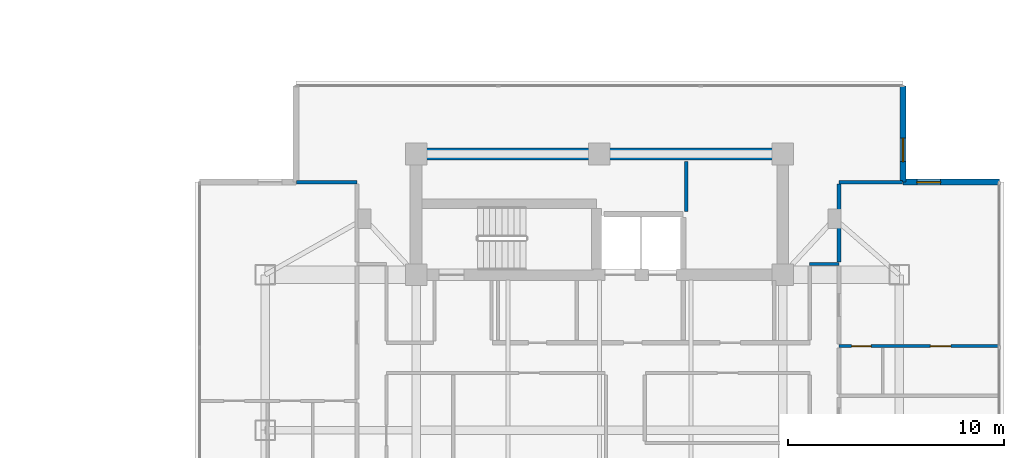
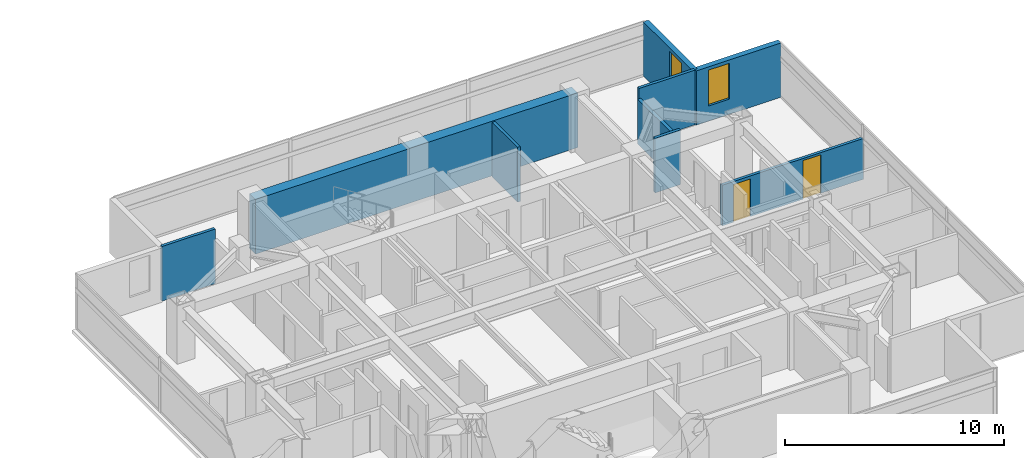
# One storey, part 18 of 25: 9 walls, 2 doors, 2 windows, 4 openings.
"""IFC4 building model written with IfcOpenShell, lengths in metres."""

from ifc_helpers import new_model, si_unit, direction, frame, frame_2d, origin, place, context, subcontext, project, spatial, rectangle, extrude, material, layer, layer_set, type_object, element, fill, save


model = new_model("IFC4")

# Units and contexts
model_context = context("Model", 3, precision=1e-05, world=origin(), true_north=direction((0.0, 1.0)))
body_context = subcontext(model_context, "Body", "Model", "MODEL_VIEW")
ifc_project = project(units=[si_unit("LENGTHUNIT", "METRE"), si_unit("AREAUNIT", "SQUARE_METRE"), si_unit("VOLUMEUNIT", "CUBIC_METRE"), si_unit("PLANEANGLEUNIT", "RADIAN"), si_unit("MASSUNIT", "GRAM", prefix="KILO")], contexts=[model_context])

# Site, building, storey
site_placement = place(None, origin())
site = spatial("IfcSite", under=ifc_project, at=site_placement, CompositionType="ELEMENT")
building_placement = place(site_placement, origin())
building = spatial("IfcBuilding", under=site, at=building_placement, Name="Mirazonda Arch Towers", CompositionType="ELEMENT")
storey_placement = place(building_placement, frame((0.0, 0.0, 180.39990234375)))
storey = spatial("IfcBuildingStorey", under=building, at=storey_placement, Name="L51", CompositionType="ELEMENT", Elevation=180.39990234375)

# Wall
ifc_material_1 = material(Name="Concrete C50/60", Category="concrete")
ifc_layer_1 = layer(ifc_material_1, 0.550048828125, Name="WALL-CORE-550")
ifc_layer_set_1 = layer_set([ifc_layer_1], Name="Concrete C50/60")
wall_type_1 = type_object("IfcWallType", Name="WALL-CORE-550", PredefinedType="SHEAR", material=ifc_layer_set_1)
wall_1_placement = place(storey_placement, frame((68.0, 40.800048828125, 0.0), z_axis=(0.0, 0.0, 1.0), x_axis=(1.0, 0.0, 0.0)))
element("IfcWall", 1, at=wall_1_placement, inside=storey, type_object=wall_type_1, Name="L51 T2N-N Core Shear Wall", PredefinedType="SHEAR", context=body_context, shape_type="SweptSolid", body=[
    extrude(rectangle(XDim=17.0, YDim=0.550048828125, at=frame_2d((8.5, 0.0))), origin(), (0.0, 0.0, 1.0), 3.050048828125),
])

# Wall, opening, window
ifc_material_2 = material(Name="Precast Concrete C40/50", Category="concrete")
ifc_layer_2 = layer(ifc_material_2, 0.280029296875, Name="WALL-EXT-WALL-280")
ifc_layer_set_2 = layer_set([ifc_layer_2], Name="Precast Concrete C40/50")
wall_type_2 = type_object("IfcWallType", Name="WALL-EXT-WALL-280", PredefinedType="SOLIDWALL", material=ifc_layer_set_2)
wall_2_placement = place(storey_placement, frame((90.5712890625, 39.49267578125, 0.0), z_axis=(0.0, 0.0, 1.0), x_axis=(0.0, 1.0, 0.0)))
wall_2 = element("IfcWall", 2, at=wall_2_placement, inside=storey, type_object=wall_type_2, Name="L51 T2 Notched NE Corner Wall WL-L51-T2-CNE", PredefinedType="SOLIDWALL", context=body_context, shape_type="SweptSolid", body=[
    extrude(rectangle(XDim=4.46533203125, YDim=0.280029296875, at=frame_2d((2.232666015625, 0.0))), origin(), (0.0, 0.0, 1.0), 3.030029296875),
])
opening_1_placement = place(wall_2_placement, frame((0.949951171875, 0.0, 0.85009765625)))
opening_1 = element("IfcOpeningElement", 3, at=opening_1_placement, cuts=wall_2, Name="Opening WN-108", PredefinedType="OPENING", context=body_context, shape_type="SweptSolid", body=[
    extrude(rectangle(XDim=1.10009765625, YDim=2.0, at=frame_2d((0.550048828125, 1.0))), frame((0.0, 0.14990234375, 0.0), z_axis=(0.0, -1.0, 0.0), x_axis=(1.0, 0.0, 0.0)), (0.0, 0.0, 1.0), 0.300048828125),
])
ifc_material_3 = material(Name="Insulated Low-E Solar Glass", Category="glass")
window_type = type_object("IfcWindowType", Name="WIN-NOTCH-1100x2000", PartitioningType="SINGLE_PANEL", PredefinedType="WINDOW", material=ifc_material_3)
window_1_placement = place(opening_1_placement, origin())
window_1 = element("IfcWindow", 4, at=window_1_placement, inside=storey, type_object=window_type, Name="L51 Punched Facade Window WN-L51-T2-CNE", OverallHeight=2.0, OverallWidth=1.10009765625, PartitioningType="SINGLE_PANEL", PredefinedType="WINDOW", context=body_context, shape_type="SweptSolid", body=[
    extrude(rectangle(XDim=1.10009765625, YDim=2.0, at=frame_2d((0.550048828125, 1.0))), frame((0.0, 0.030029296875, 0.0), z_axis=(0.0, -1.0, 0.0), x_axis=(1.0, 0.0, 0.0)), (0.0, 0.0, 1.0), 0.06005859375),
])
fill(opening_1, window_1)

wall_3_placement = place(storey_placement, frame((95.03662109375, 39.49267578125, 0.0), z_axis=(0.0, 0.0, 1.0), x_axis=(-1.0, 0.0, 0.0)))
wall_3 = element("IfcWall", 5, at=wall_3_placement, inside=storey, type_object=wall_type_2, Name="L51 T2 Corner Notch Return Wall WL-L51-T2-CNE2", PredefinedType="SOLIDWALL", context=body_context, shape_type="SweptSolid", body=[
    extrude(rectangle(XDim=4.46533203125, YDim=0.280029296875, at=frame_2d((2.232666015625, 0.0))), origin(), (0.0, 0.0, 1.0), 3.030029296875),
])
opening_2_placement = place(wall_3_placement, frame((2.715087890625, 0.0, 0.85009765625)))
opening_2 = element("IfcOpeningElement", 6, at=opening_2_placement, cuts=wall_3, Name="Opening WN-108", PredefinedType="OPENING", context=body_context, shape_type="SweptSolid", body=[
    extrude(rectangle(XDim=1.10009765625, YDim=2.0, at=frame_2d((0.550048828125, 1.0))), frame((0.0, 0.14990234375, 0.0), z_axis=(0.0, -1.0, 0.0), x_axis=(1.0, 0.0, 0.0)), (0.0, 0.0, 1.0), 0.300048828125),
])
window_2_placement = place(opening_2_placement, origin())
window_2 = element("IfcWindow", 7, at=window_2_placement, inside=storey, type_object=window_type, Name="L51 Punched Facade Window WN-L51-T2-CNE2", OverallHeight=2.0, OverallWidth=1.10009765625, PartitioningType="SINGLE_PANEL", PredefinedType="WINDOW", context=body_context, shape_type="SweptSolid", body=[
    extrude(rectangle(XDim=1.10009765625, YDim=2.0, at=frame_2d((0.550048828125, 1.0))), frame((0.0, 0.030029296875, 0.0), z_axis=(0.0, -1.0, 0.0), x_axis=(1.0, 0.0, 0.0)), (0.0, 0.0, 1.0), 0.06005859375),
])
fill(opening_2, window_2)

# Wall, openings, doors
ifc_material_4 = material(Name="Fire-Rated Gypsum Stud Partition")
ifc_layer_3 = layer(ifc_material_4, 0.14990234375, Name="WALL-PART-CORR-150")
ifc_layer_set_3 = layer_set([ifc_layer_3], Name="Fire-Rated Gypsum Stud Partition")
wall_type_3 = type_object("IfcWallType", Name="WALL-PART-CORR-150", PredefinedType="PARTITIONING", material=ifc_layer_set_3)
wall_4_placement = place(storey_placement, frame((87.60009765625, 31.89599609375, 0.0), z_axis=(0.0, 0.0, 1.0), x_axis=(1.0, 0.0, 0.0)))
wall_4 = element("IfcWall", 8, at=wall_4_placement, inside=storey, type_object=wall_type_3, Name="L51 Interior Partition 042", PredefinedType="PARTITIONING", context=body_context, shape_type="SweptSolid", body=[
    extrude(rectangle(XDim=7.43701171875, YDim=0.14990234375, at=frame_2d((3.718505859375, 0.0))), origin(), (0.0, 0.0, 1.0), 2.26904296875),
])
opening_3_placement = place(wall_4_placement, frame((4.243408203125, 0.0, 0.0)))
opening_3 = element("IfcOpeningElement", 9, at=opening_3_placement, cuts=wall_4, Name="Opening DR-104", PredefinedType="OPENING", context=body_context, shape_type="SweptSolid", body=[
    extrude(rectangle(XDim=0.949951171875, YDim=2.14990234375, at=frame_2d((0.47509765625, 1.074951171875))), frame((0.0, 0.0849609375, 0.0), z_axis=(0.0, -1.0, 0.0), x_axis=(1.0, 0.0, 0.0)), (0.0, 0.0, 1.0), 0.169921875),
])
opening_4_placement = place(wall_4_placement, frame((0.590087890625, 0.0, 0.0)))
opening_4 = element("IfcOpeningElement", 10, at=opening_4_placement, cuts=wall_4, Name="Opening DR-120", PredefinedType="OPENING", context=body_context, shape_type="SweptSolid", body=[
    extrude(rectangle(XDim=0.89990234375, YDim=2.10009765625, at=frame_2d((0.449951171875, 1.050048828125))), frame((0.0, 0.0849609375, 0.0), z_axis=(0.0, -1.0, 0.0), x_axis=(1.0, 0.0, 0.0)), (0.0, 0.0, 1.0), 0.169921875),
])
ifc_material_5 = material(Name="Architectural Brushed Steel S355", Category="steel")
door_type_1 = type_object("IfcDoorType", Name="DOOR-ROOM-950", OperationType="NOTDEFINED", PredefinedType="DOOR", material=ifc_material_5)
door_1_placement = place(opening_3_placement, origin())
door_1 = element("IfcDoor", 11, at=door_1_placement, inside=storey, type_object=door_type_1, Name="L51 Studio 3 Galley Kitchen Door", OperationType="SINGLE_SWING_LEFT", OverallHeight=2.14990234375, OverallWidth=0.949951171875, PredefinedType="DOOR", context=body_context, shape_type="SweptSolid", body=[
    extrude(rectangle(XDim=0.949951171875, YDim=2.14990234375, at=frame_2d((0.47509765625, 1.074951171875))), frame((0.0, 0.02490234375, 0.0), z_axis=(0.0, -1.0, 0.0), x_axis=(1.0, 0.0, 0.0)), (0.0, 0.0, 1.0), 0.050048828125),
])
fill(opening_3, door_1)
door_type_2 = type_object("IfcDoorType", Name="DOOR-WC-900", OperationType="NOTDEFINED", PredefinedType="DOOR", material=ifc_material_5)
door_2_placement = place(opening_4_placement, origin())
door_2 = element("IfcDoor", 12, at=door_2_placement, inside=storey, type_object=door_type_2, Name="L51 Studio 3 Bathroom Door", OperationType="SINGLE_SWING_RIGHT", OverallHeight=2.10009765625, OverallWidth=0.89990234375, PredefinedType="DOOR", context=body_context, shape_type="SweptSolid", body=[
    extrude(rectangle(XDim=0.89990234375, YDim=2.10009765625, at=frame_2d((0.449951171875, 1.050048828125))), frame((0.0, 0.02490234375, 0.0), z_axis=(0.0, -1.0, 0.0), x_axis=(1.0, 0.0, 0.0)), (0.0, 0.0, 1.0), 0.050048828125),
])
fill(opening_4, door_2)

# Walls
wall_5_placement = place(storey_placement, frame((86.25, 35.699951171875, 0.0), z_axis=(0.0, 0.0, 1.0), x_axis=(1.0, 0.0, 0.0)))
element("IfcWall", 13, at=wall_5_placement, inside=storey, type_object=wall_type_3, Name="L51 Interior Partition 051", PredefinedType="PARTITIONING", context=body_context, shape_type="SweptSolid", body=[
    extrude(rectangle(XDim=1.35009765625, YDim=0.14990234375, at=frame_2d((0.675048828125, 0.0))), origin(), (0.0, 0.0, 1.0), 3.050048828125),
])
wall_6_placement = place(storey_placement, frame((62.44873046875, 39.492919921875, 0.0), z_axis=(0.0, 0.0, 1.0), x_axis=(1.0, 0.0, 0.0)))
element("IfcWall", 14, at=wall_6_placement, inside=storey, type_object=wall_type_3, Name="L51 Interior Partition 054", PredefinedType="PARTITIONING", context=body_context, shape_type="SweptSolid", body=[
    extrude(rectangle(XDim=2.80126953125, YDim=0.14990234375, at=frame_2d((1.400634765625, 0.0))), origin(), (0.0, 0.0, 1.0), 3.050048828125),
])
wall_7_placement = place(storey_placement, frame((87.60009765625, 39.492919921875, 0.0), z_axis=(0.0, 0.0, 1.0), x_axis=(1.0, 0.0, 0.0)))
element("IfcWall", 15, at=wall_7_placement, inside=storey, type_object=wall_type_3, Name="L51 Interior Partition 055", PredefinedType="PARTITIONING", context=body_context, shape_type="SweptSolid", body=[
    extrude(rectangle(XDim=2.951171875, YDim=0.14990234375, at=frame_2d((1.4755859375, 0.0))), origin(), (0.0, 0.0, 1.0), 3.050048828125),
])
wall_8_placement = place(storey_placement, frame((80.52001953125, 38.135009765625, 0.0), z_axis=(0.0, 0.0, 1.0), x_axis=(0.0, 1.0, 0.0)))
element("IfcWall", 16, at=wall_8_placement, inside=storey, type_object=wall_type_3, Name="L51 Interior Partition 148", PredefinedType="PARTITIONING", context=body_context, shape_type="SweptSolid", body=[
    extrude(rectangle(XDim=2.31494140625, YDim=0.14990234375, at=frame_2d((1.157470703125, 0.0))), origin(), (0.0, 0.0, 1.0), 3.050048828125),
])
ifc_material_6 = material(Name="Fire-Rated Gypsum Twin-Stud Assembly")
ifc_layer_4 = layer(ifc_material_6, 0.179931640625, Name="WALL-PART-DEMISE-180")
ifc_layer_set_4 = layer_set([ifc_layer_4], Name="Fire-Rated Gypsum Twin-Stud Assembly")
wall_type_4 = type_object("IfcWallType", Name="WALL-PART-DEMISE-180", PredefinedType="PARTITIONING", material=ifc_layer_set_4)
wall_9_placement = place(storey_placement, frame((87.60009765625, 35.784912109375, 0.0), z_axis=(0.0, 0.0, 1.0), x_axis=(0.0, 1.0, 0.0)))
element("IfcWall", 17, at=wall_9_placement, inside=storey, type_object=wall_type_4, Name="L51 Interior Partition 162", PredefinedType="PARTITIONING", context=body_context, shape_type="SweptSolid", body=[
    extrude(rectangle(XDim=3.623046875, YDim=0.179931640625, at=frame_2d((1.8115234375, 0.0))), origin(), (0.0, 0.0, 1.0), 2.4931640625),
])

save(model, "model.ifc")
